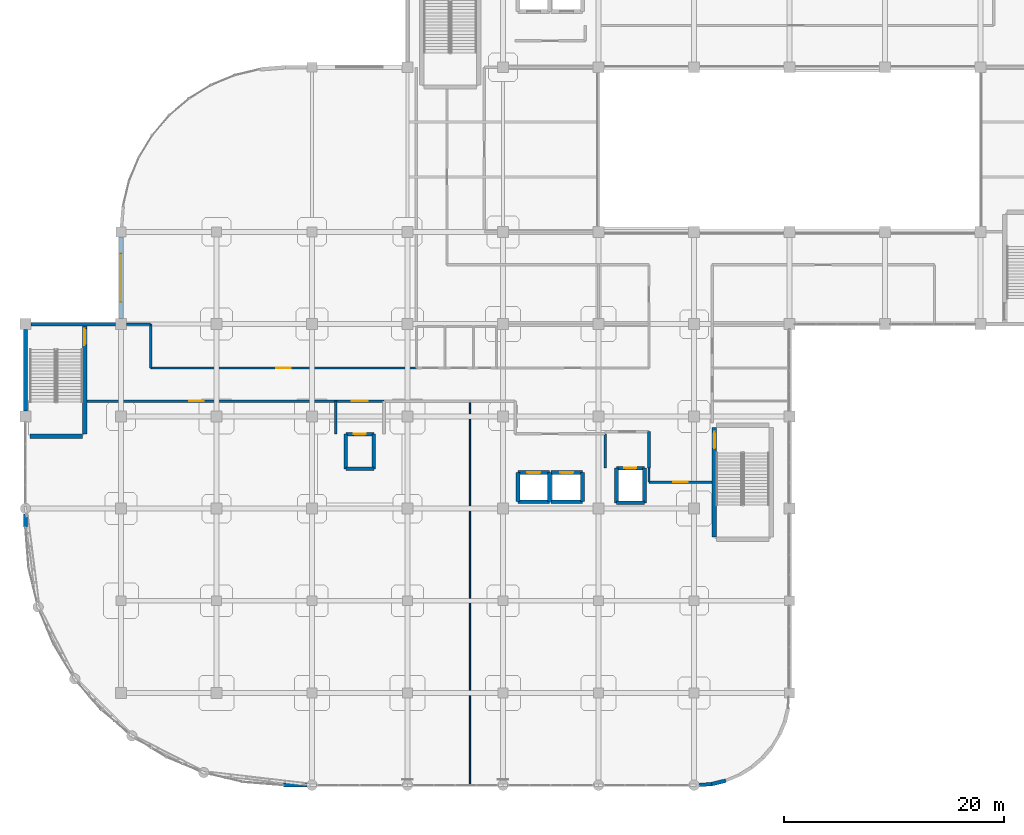
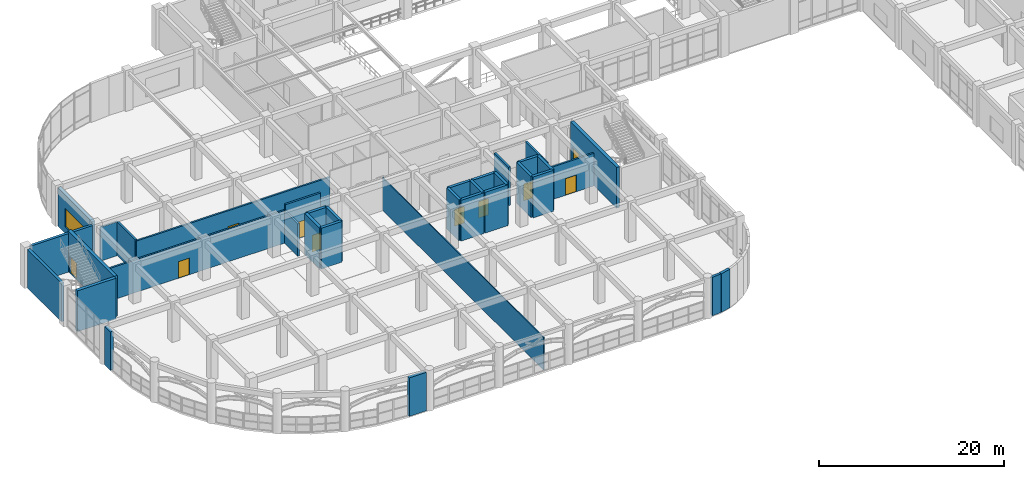
# One storey, part 92 of 114: 36 walls, 10 doors, 1 window, 11 openings.
"""IFC4 building model written with IfcOpenShell, lengths in metres."""

from ifc_helpers import new_model, si_unit, derived_unit, direction, frame, frame_2d, origin, place, context, subcontext, project, spatial, rectangle, extrude, material, layer, layer_set, type_object, element, fill, save


model = new_model("IFC4")

# Units and contexts
model_context = context("Model", 3, precision=1e-05, world=origin(), true_north=direction((0.0, 1.0)))
body_context = subcontext(model_context, "Body", "Model", "MODEL_VIEW")
ifc_project = project(units=[si_unit("LENGTHUNIT", "METRE"), si_unit("AREAUNIT", "SQUARE_METRE"), si_unit("VOLUMEUNIT", "CUBIC_METRE"), si_unit("PLANEANGLEUNIT", "RADIAN"), si_unit("MASSUNIT", "GRAM", prefix="KILO"), derived_unit("THERMALTRANSMITTANCEUNIT", [(si_unit("MASSUNIT", "GRAM", prefix="KILO"), 1), (si_unit("TIMEUNIT", "SECOND"), -3), (si_unit("THERMODYNAMICTEMPERATUREUNIT", "KELVIN"), -1)])], contexts=[model_context])

# Site, building, storey
site_placement = place(None, origin())
site = spatial("IfcSite", under=ifc_project, at=site_placement, CompositionType="ELEMENT")
building_placement = place(site_placement, origin())
building = spatial("IfcBuilding", under=site, at=building_placement, Name="Qinzheling Arcade Emporium", CompositionType="ELEMENT")
storey_placement = place(building_placement, frame((0.0, 0.0, 6.0)))
storey = spatial("IfcBuildingStorey", under=building, at=storey_placement, Name="L02", CompositionType="ELEMENT", Elevation=6.0)

# Walls
ifc_material_1 = material(Name="Double-stud acoustic gypsum board partition")
ifc_layer_1 = layer(ifc_material_1, 0.215087890625, Name="Double-stud acoustic gypsum board partition")
ifc_layer_set_1 = layer_set([ifc_layer_1], Name="Double-stud acoustic gypsum board partition")
wall_type_1 = type_object("IfcWallType", Name="Acoustic Corridor Partition Wall 215", PredefinedType="PARTITIONING", material=ifc_layer_set_1)
wall_1_placement = place(storey_placement, frame((9.2099609375, 42.0, 0.0), z_axis=(0.0, 0.0, 1.0), x_axis=(1.0, 0.0, 0.0)))
element("IfcWall", 1, at=wall_1_placement, inside=storey, type_object=wall_type_1, Name="Interior Wall WL-L02-INT-0306", PredefinedType="PARTITIONING", context=body_context, shape_type="SweptSolid", body=[
    extrude(rectangle(XDim=2.18994140625, YDim=0.215087890625, at=frame_2d((1.094970703125, 0.0))), origin(), (0.0, 0.0, 1.0), 4.4599609375),
])
wall_2_placement = place(storey_placement, frame((11.39990234375, 42.0, 0.0), z_axis=(0.0, 0.0, 1.0), x_axis=(0.0, -1.0, 0.0)))
element("IfcWall", 2, at=wall_2_placement, inside=storey, type_object=wall_type_1, Name="Interior Wall WL-L02-INT-0307", PredefinedType="PARTITIONING", context=body_context, shape_type="SweptSolid", body=[
    extrude(rectangle(XDim=4.0, YDim=0.215087890625, at=frame_2d((2.0, 0.0))), origin(), (0.0, 0.0, 1.0), 4.4599609375),
])

# Wall, opening, door
wall_3_placement = place(storey_placement, frame((11.39990234375, 38.0, 0.0), z_axis=(0.0, 0.0, 1.0), x_axis=(1.0, 0.0, 0.0)))
wall_3 = element("IfcWall", 3, at=wall_3_placement, inside=storey, type_object=wall_type_1, Name="Interior Wall WL-L02-INT-0308", PredefinedType="PARTITIONING", context=body_context, shape_type="SweptSolid", body=[
    extrude(rectangle(XDim=24.2001953125, YDim=0.215087890625, at=frame_2d((12.10009765625, 0.0))), origin(), (0.0, 0.0, 1.0), 4.31005859375),
])
opening_1_placement = place(wall_3_placement, frame((11.425048828125, 0.0, 0.0)))
opening_1 = element("IfcOpeningElement", 4, at=opening_1_placement, cuts=wall_3, Name="Opening FD05", PredefinedType="OPENING", context=body_context, shape_type="SweptSolid", body=[
    extrude(rectangle(XDim=1.35009765625, YDim=2.199951171875, at=frame_2d((0.675048828125, 1.10009765625))), frame((0.0, 0.11767578125, 0.0), z_axis=(0.0, -1.0, 0.0), x_axis=(1.0, 0.0, 0.0)), (0.0, 0.0, 1.0), 0.235107421875),
])
ifc_material_2 = material(Name="Class B fire-rated stainless-clad door")
door_type_1 = type_object("IfcDoorType", Name="Kitchen Fire-Rated Service Door 1350x2200", OperationType="NOTDEFINED", PredefinedType="DOOR", material=ifc_material_2)
door_1_placement = place(opening_1_placement, origin())
door_1 = element("IfcDoor", 5, at=door_1_placement, inside=storey, type_object=door_type_1, Name="FD05 Interior Door DR-L02-INT-0089", OperationType="SINGLE_SWING_RIGHT", OverallHeight=2.199951171875, OverallWidth=1.35009765625, PredefinedType="DOOR", context=body_context, shape_type="SweptSolid", body=[
    extrude(rectangle(XDim=1.35009765625, YDim=2.199951171875, at=frame_2d((0.675048828125, 1.10009765625))), frame((0.0, 0.02490234375, 0.0), z_axis=(0.0, -1.0, 0.0), x_axis=(1.0, 0.0, 0.0)), (0.0, 0.0, 1.0), 0.050048828125),
])
fill(opening_1, door_1)

wall_4_placement = place(storey_placement, frame((28.25, 34.97998046875, 0.0), z_axis=(0.0, 0.0, 1.0), x_axis=(-1.0, 0.0, 0.0)))
wall_4 = element("IfcWall", 6, at=wall_4_placement, inside=storey, type_object=wall_type_1, Name="Interior Wall WL-L02-INT-0309", PredefinedType="PARTITIONING", context=body_context, shape_type="SweptSolid", body=[
    extrude(rectangle(XDim=22.655029296875, YDim=0.215087890625, at=frame_2d((11.32763671875, 0.0))), origin(), (0.0, 0.0, 1.0), 4.31005859375),
])
opening_2_placement = place(wall_4_placement, frame((12.001953125, 0.0, 0.0)))
opening_2 = element("IfcOpeningElement", 7, at=opening_2_placement, cuts=wall_4, Name="Opening FD05", PredefinedType="OPENING", context=body_context, shape_type="SweptSolid", body=[
    extrude(rectangle(XDim=1.35009765625, YDim=2.199951171875, at=frame_2d((0.675048828125, 1.10009765625))), frame((0.0, 0.11767578125, 0.0), z_axis=(0.0, -1.0, 0.0), x_axis=(1.0, 0.0, 0.0)), (0.0, 0.0, 1.0), 0.235107421875),
])
door_2_placement = place(opening_2_placement, origin())
door_2 = element("IfcDoor", 8, at=door_2_placement, inside=storey, type_object=door_type_1, Name="FD05 Interior Door DR-L02-INT-0090", OperationType="SINGLE_SWING_LEFT", OverallHeight=2.199951171875, OverallWidth=1.35009765625, PredefinedType="DOOR", context=body_context, shape_type="SweptSolid", body=[
    extrude(rectangle(XDim=1.35009765625, YDim=2.199951171875, at=frame_2d((0.675048828125, 1.10009765625))), frame((0.0, 0.02490234375, 0.0), z_axis=(0.0, -1.0, 0.0), x_axis=(1.0, 0.0, 0.0)), (0.0, 0.0, 1.0), 0.050048828125),
])
fill(opening_2, door_2)

wall_5_placement = place(storey_placement, frame((62.544921875, 27.60009765625, 0.0), z_axis=(0.0, 0.0, 1.0), x_axis=(-1.0, 0.0, 0.0)))
wall_5 = element("IfcWall", 9, at=wall_5_placement, inside=storey, type_object=wall_type_1, Name="Interior Wall WL-L02-INT-0314", PredefinedType="PARTITIONING", context=body_context, shape_type="SweptSolid", body=[
    extrude(rectangle(XDim=5.744873046875, YDim=0.215087890625, at=frame_2d((2.87255859375, 0.0))), origin(), (0.0, 0.0, 1.0), 4.31005859375),
])
opening_3_placement = place(wall_5_placement, frame((2.197998046875, 0.0, 0.0)))
opening_3 = element("IfcOpeningElement", 10, at=opening_3_placement, cuts=wall_5, Name="Opening FD05", PredefinedType="OPENING", context=body_context, shape_type="SweptSolid", body=[
    extrude(rectangle(XDim=1.35009765625, YDim=2.199951171875, at=frame_2d((0.675048828125, 1.10009765625))), frame((0.0, 0.11767578125, 0.0), z_axis=(0.0, -1.0, 0.0), x_axis=(1.0, 0.0, 0.0)), (0.0, 0.0, 1.0), 0.235107421875),
])
door_3_placement = place(opening_3_placement, origin())
door_3 = element("IfcDoor", 11, at=door_3_placement, inside=storey, type_object=door_type_1, Name="FD05 Interior Door DR-L02-INT-0091", OperationType="SINGLE_SWING_RIGHT", OverallHeight=2.199951171875, OverallWidth=1.35009765625, PredefinedType="DOOR", context=body_context, shape_type="SweptSolid", body=[
    extrude(rectangle(XDim=1.35009765625, YDim=2.199951171875, at=frame_2d((0.675048828125, 1.10009765625))), frame((0.0, 0.02490234375, 0.0), z_axis=(0.0, -1.0, 0.0), x_axis=(1.0, 0.0, 0.0)), (0.0, 0.0, 1.0), 0.050048828125),
])
fill(opening_3, door_3)

# Walls
wall_6_placement = place(storey_placement, frame((56.800048828125, 27.60009765625, 0.0), z_axis=(0.0, 0.0, 1.0), x_axis=(0.0, 1.0, 0.0)))
element("IfcWall", 12, at=wall_6_placement, inside=storey, type_object=wall_type_1, Name="Interior Wall WL-L02-INT-0315", PredefinedType="PARTITIONING", context=body_context, shape_type="SweptSolid", body=[
    extrude(rectangle(XDim=1.27978515625, YDim=0.215087890625, at=frame_2d((0.639892578125, 0.0))), origin(), (0.0, 0.0, 1.0), 5.06005859375),
])
ifc_material_3 = material(Name="Celadon glazed terracotta insulated spandrel", Category="masonry")
ifc_layer_2 = layer(ifc_material_3, 0.340087890625, Name="Celadon glazed terracotta insulated spandrel", Category="masonry")
ifc_layer_set_2 = layer_set([ifc_layer_2], Name="Celadon glazed terracotta insulated spandrel")
wall_type_2 = type_object("IfcWallType", Name="Celadon Spandrel Infill Wall 340", PredefinedType="STANDARD", material=ifc_layer_set_2)
wall_7_placement = place(storey_placement, frame((63.7958984375, 0.410888671875, 0.0), z_axis=(0.0, 0.0, 1.0), x_axis=(-0.972355356444, -0.233506018754, 0.0)))
element("IfcWall", 13, at=wall_7_placement, inside=storey, type_object=wall_type_2, Name="Exterior Wall WL-L02-EW-0107", PredefinedType="STANDARD", context=body_context, shape_type="SweptSolid", body=[
    extrude(rectangle(XDim=1.318359375, YDim=0.340087890625, at=frame_2d((0.6591796875, 0.0))), origin(), (0.0, 0.0, 1.0), 5.090087890625),
])
wall_8_placement = place(storey_placement, frame((0.0, 34.10205078125, 0.0), z_axis=(0.0, 0.0, 1.0), x_axis=(0.0, 1.0, 0.0)))
element("IfcWall", 14, at=wall_8_placement, inside=storey, type_object=wall_type_2, Name="Exterior Wall WL-L02-EW-0111", PredefinedType="STANDARD", context=body_context, shape_type="SweptSolid", body=[
    extrude(rectangle(XDim=7.39599609375, YDim=0.340087890625, at=frame_2d((3.697998046875, 0.0))), origin(), (0.0, 0.0, 1.0), 5.090087890625),
])
ifc_material_4 = material(Name="Glazed cream terracotta insulated wall", Category="masonry")
ifc_layer_3 = layer(ifc_material_4, 0.320068359375, Name="Glazed cream terracotta insulated wall", Category="masonry")
ifc_layer_set_3 = layer_set([ifc_layer_3], Name="Glazed cream terracotta insulated wall")
wall_type_3 = type_object("IfcWallType", Name="Chicago Frame Infill Wall 320", PredefinedType="STANDARD", material=ifc_layer_set_3)
wall_9_placement = place(storey_placement, frame((62.513916015625, 0.10302734375, 0.0), z_axis=(0.0, 0.0, 1.0), x_axis=(-0.996942630005, -0.078137010941, 0.0)))
element("IfcWall", 15, at=wall_9_placement, inside=storey, type_object=wall_type_3, Name="Exterior Wall WL-L02-EW-0108", PredefinedType="STANDARD", context=body_context, shape_type="SweptSolid", body=[
    extrude(rectangle(XDim=1.140380859375, YDim=0.320068359375, at=frame_2d((0.5703125, 0.0))), origin(), (0.0, 0.0, 1.0), 5.090087890625),
])
wall_10_placement = place(storey_placement, frame((0.501953125, 42.0, 0.0), z_axis=(0.0, 0.0, 1.0), x_axis=(1.0, 0.0, 0.0)))
element("IfcWall", 16, at=wall_10_placement, inside=storey, type_object=wall_type_3, Name="Exterior Wall WL-L02-EW-0112", PredefinedType="STANDARD", context=body_context, shape_type="SweptSolid", body=[
    extrude(rectangle(XDim=7.696044921875, YDim=0.320068359375, at=frame_2d((3.84814453125, 0.0))), origin(), (0.0, 0.0, 1.0), 5.090087890625),
])
ifc_material_5 = material(Name="Fire-rated double-stud gypsum and mineral wool wall")
ifc_layer_4 = layer(ifc_material_5, 0.2451171875, Name="Fire-rated double-stud gypsum and mineral wool wall")
ifc_layer_set_4 = layer_set([ifc_layer_4], Name="Fire-rated double-stud gypsum and mineral wool wall")
wall_type_4 = type_object("IfcWallType", Name="Firefighting Lobby Rated Wall 245", PredefinedType="STANDARD", material=ifc_layer_set_4)
wall_11_placement = place(storey_placement, frame((56.800048828125, 32.199951171875, 0.0), z_axis=(0.0, 0.0, 1.0), x_axis=(0.0, -1.0, 0.0)))
element("IfcWall", 17, at=wall_11_placement, inside=storey, type_object=wall_type_4, Name="Interior Wall WL-L02-INT-0275", PredefinedType="STANDARD", context=body_context, shape_type="SweptSolid", body=[
    extrude(rectangle(XDim=3.320068359375, YDim=0.2451171875, at=frame_2d((1.66015625, 0.0))), origin(), (0.0, 0.0, 1.0), 5.06005859375),
])
wall_12_placement = place(storey_placement, frame((52.800048828125, 28.8798828125, 0.0), z_axis=(0.0, 0.0, 1.0), x_axis=(0.0, 1.0, 0.0)))
element("IfcWall", 18, at=wall_12_placement, inside=storey, type_object=wall_type_4, Name="Interior Wall WL-L02-INT-0276", PredefinedType="STANDARD", context=body_context, shape_type="SweptSolid", body=[
    extrude(rectangle(XDim=3.1201171875, YDim=0.2451171875, at=frame_2d((1.56005859375, 0.0))), origin(), (0.0, 0.0, 1.0), 5.06005859375),
])

# Wall, opening, door
wall_13_placement = place(storey_placement, frame((28.25, 34.97998046875, 0.0), z_axis=(0.0, 0.0, 1.0), x_axis=(1.0, 0.0, 0.0)))
wall_13 = element("IfcWall", 19, at=wall_13_placement, inside=storey, type_object=wall_type_4, Name="Interior Wall WL-L02-INT-0277", PredefinedType="STANDARD", context=body_context, shape_type="SweptSolid", body=[
    extrude(rectangle(XDim=4.39990234375, YDim=0.2451171875, at=frame_2d((2.199951171875, 0.0))), origin(), (0.0, 0.0, 1.0), 5.06005859375),
])
opening_4_placement = place(wall_13_placement, frame((1.47509765625, 0.0, 0.0)))
opening_4 = element("IfcOpeningElement", 20, at=opening_4_placement, cuts=wall_13, Name="Opening FD02", PredefinedType="OPENING", context=body_context, shape_type="SweptSolid", body=[
    extrude(rectangle(XDim=1.449951171875, YDim=2.199951171875, at=frame_2d((0.72509765625, 1.10009765625))), frame((0.0, 0.132568359375, 0.0), z_axis=(0.0, -1.0, 0.0), x_axis=(1.0, 0.0, 0.0)), (0.0, 0.0, 1.0), 0.26513671875),
])
ifc_material_6 = material(Name="Class A fire-rated steel double door", Category="steel")
door_type_2 = type_object("IfcDoorType", Name="Firefighting Lobby Fire Door 1450x2200", OperationType="DOUBLE_DOOR_SINGLE_SWING", PredefinedType="DOOR", material=ifc_material_6)
door_4_placement = place(opening_4_placement, origin())
door_4 = element("IfcDoor", 21, at=door_4_placement, inside=storey, type_object=door_type_2, Name="FD02 Interior Door DR-L02-INT-0077", OperationType="DOUBLE_DOOR_SINGLE_SWING", OverallHeight=2.199951171875, OverallWidth=1.449951171875, PredefinedType="DOOR", context=body_context, shape_type="SweptSolid", body=[
    extrude(rectangle(XDim=1.449951171875, YDim=2.199951171875, at=frame_2d((0.72509765625, 1.10009765625))), frame((0.0, 0.02490234375, 0.0), z_axis=(0.0, -1.0, 0.0), x_axis=(1.0, 0.0, 0.0)), (0.0, 0.0, 1.0), 0.050048828125),
])
fill(opening_4, door_4)

# Walls
wall_14_placement = place(storey_placement, frame((28.25, 31.97998046875, 0.0), z_axis=(0.0, 0.0, 1.0), x_axis=(0.0, 1.0, 0.0)))
element("IfcWall", 22, at=wall_14_placement, inside=storey, type_object=wall_type_4, Name="Interior Wall WL-L02-INT-0278", PredefinedType="STANDARD", context=body_context, shape_type="SweptSolid", body=[
    extrude(rectangle(XDim=3.0, YDim=0.2451171875, at=frame_2d((1.5, 0.0))), origin(), (0.0, 0.0, 1.0), 4.31005859375),
])
ifc_material_7 = material(Name="Glazed cream terracotta on Concrete C40", Category="masonry")
ifc_layer_5 = layer(ifc_material_7, 0.3798828125, Name="Glazed cream terracotta on Concrete C40", Category="masonry")
ifc_layer_set_5 = layer_set([ifc_layer_5], Name="Glazed cream terracotta on Concrete C40")
wall_type_5 = type_object("IfcWallType", Name="Glazed Cream Terracotta Structural Wall 380", PredefinedType="STANDARD", material=ifc_layer_set_5)
wall_15_placement = place(storey_placement, frame((0.0, 23.5, 0.0), z_axis=(0.0, 0.0, 1.0), x_axis=(0.0, 1.0, 0.0)))
element("IfcWall", 23, at=wall_15_placement, inside=storey, type_object=wall_type_5, Name="Exterior Wall WL-L02-EW-0110", PredefinedType="STANDARD", context=body_context, shape_type="SweptSolid", body=[
    extrude(rectangle(XDim=1.222900390625, YDim=0.3798828125, at=frame_2d((0.611328125, 0.0))), origin(), (0.0, 0.0, 1.0), 5.090087890625),
])
ifc_layer_6 = layer(ifc_material_7, 0.360107421875, Name="Glazed cream terracotta on Concrete C40", Category="masonry")
ifc_layer_set_6 = layer_set([ifc_layer_6], Name="Glazed cream terracotta on Concrete C40")
wall_type_6 = type_object("IfcWallType", Name="Glazed Terracotta Pier Wall 360", PredefinedType="STANDARD", material=ifc_layer_set_6)
wall_16_placement = place(storey_placement, frame((25.623046875, 0.0, 0.0), z_axis=(0.0, 0.0, 1.0), x_axis=(-1.0, 0.0, 0.0)))
element("IfcWall", 24, at=wall_16_placement, inside=storey, type_object=wall_type_6, Name="Exterior Wall WL-L02-EW-0109", PredefinedType="STANDARD", context=body_context, shape_type="SweptSolid", body=[
    extrude(rectangle(XDim=2.123046875, YDim=0.360107421875, at=frame_2d((1.0615234375, 0.0))), origin(), (0.0, 0.0, 1.0), 5.090087890625),
])

# Wall, opening, window
wall_17_placement = place(storey_placement, frame((8.699951171875, 42.501953125, 0.0), z_axis=(0.0, 0.0, 1.0), x_axis=(0.0, 1.0, 0.0)))
wall_17 = element("IfcWall", 25, at=wall_17_placement, inside=storey, type_object=wall_type_6, Name="Exterior Wall WL-L02-EW-0113", PredefinedType="STANDARD", context=body_context, shape_type="SweptSolid", body=[
    extrude(rectangle(XDim=7.446044921875, YDim=0.360107421875, at=frame_2d((3.72314453125, 0.0))), origin(), (0.0, 0.0, 1.0), 5.090087890625),
])
opening_5_placement = place(wall_17_placement, frame((1.52294921875, 0.0, 0.85009765625)))
opening_5 = element("IfcOpeningElement", 26, at=opening_5_placement, cuts=wall_17, Name="Opening WN07", PredefinedType="OPENING", context=body_context, shape_type="SweptSolid", body=[
    extrude(rectangle(XDim=4.39990234375, YDim=2.449951171875, at=frame_2d((2.199951171875, 1.22509765625))), frame((0.0, 0.18994140625, 0.0), z_axis=(0.0, -1.0, 0.0), x_axis=(1.0, 0.0, 0.0)), (0.0, 0.0, 1.0), 0.380126953125),
])
ifc_material_8 = material(Name="Thermally broken aluminium frame with solar-control double glazing", Category="aluminium")
window_type = type_object("IfcWindowType", Name="Chicago Tripartite Window 4400x2450", PartitioningType="TRIPLE_PANEL_VERTICAL", PredefinedType="WINDOW", material=ifc_material_8)
window_placement = place(opening_5_placement, origin())
window = element("IfcWindow", 27, at=window_placement, inside=storey, type_object=window_type, Name="WN07 Window WN-L02-0025", OverallHeight=2.449951171875, OverallWidth=4.39990234375, PartitioningType="TRIPLE_PANEL_VERTICAL", PredefinedType="WINDOW", context=body_context, shape_type="SweptSolid", body=[
    extrude(rectangle(XDim=4.39990234375, YDim=2.449951171875, at=frame_2d((2.199951171875, 1.22509765625))), frame((0.0, 0.030029296875, 0.0), z_axis=(0.0, -1.0, 0.0), x_axis=(1.0, 0.0, 0.0)), (0.0, 0.0, 1.0), 0.06005859375),
])
fill(opening_5, window)

# Wall, opening, door
ifc_material_9 = material(Name="Concrete C40", Category="concrete")
ifc_layer_7 = layer(ifc_material_9, 0.35009765625, Name="Concrete C40", Category="concrete")
ifc_layer_set_7 = layer_set([ifc_layer_7], Name="Concrete C40")
wall_type_7 = type_object("IfcWallType", Name="RC Lift Shaft Shear Wall 350 C40", PredefinedType="SHEAR", material=ifc_layer_set_7)
wall_18_placement = place(storey_placement, frame((53.824951171875, 28.875, 0.0), z_axis=(0.0, 0.0, 1.0), x_axis=(1.0, 0.0, 0.0)))
wall_18 = element("IfcWall", 28, at=wall_18_placement, inside=storey, type_object=wall_type_7, Name="Lift Shaft Wall WL-L02-LFT-LF01-N", PredefinedType="SHEAR", context=body_context, shape_type="SweptSolid", body=[
    extrude(rectangle(XDim=2.550048828125, YDim=0.35009765625, at=frame_2d((1.27490234375, 0.0))), origin(), (0.0, 0.0, 1.0), 5.39990234375),
])
opening_6_placement = place(wall_18_placement, frame((0.72509765625, 0.0, 0.0)))
opening_6 = element("IfcOpeningElement", 29, at=opening_6_placement, cuts=wall_18, Name="Opening LD01", PredefinedType="OPENING", context=body_context, shape_type="SweptSolid", body=[
    extrude(rectangle(XDim=1.10009765625, YDim=2.199951171875, at=frame_2d((0.550048828125, 1.10009765625))), frame((0.0, 0.18505859375, 0.0), z_axis=(0.0, -1.0, 0.0), x_axis=(1.0, 0.0, 0.0)), (0.0, 0.0, 1.0), 0.3701171875),
])
ifc_material_10 = material(Name="Fire-rated stainless steel sliding lift door", Category="steel")
door_type_3 = type_object("IfcDoorType", Name="Firefighting Lift Sliding Landing Door 1100x2200", OperationType="DOUBLE_DOOR_SLIDING", PredefinedType="DOOR", material=ifc_material_10)
door_5_placement = place(opening_6_placement, origin())
door_5 = element("IfcDoor", 30, at=door_5_placement, inside=storey, type_object=door_type_3, Name="LD01 Lift Landing Door LF01 L02", OperationType="DOUBLE_DOOR_SLIDING", OverallHeight=2.199951171875, OverallWidth=1.10009765625, PredefinedType="DOOR", context=body_context, shape_type="SweptSolid", body=[
    extrude(rectangle(XDim=1.10009765625, YDim=2.199951171875, at=frame_2d((0.550048828125, 1.10009765625))), frame((0.0, 0.02490234375, 0.0), z_axis=(0.0, -1.0, 0.0), x_axis=(1.0, 0.0, 0.0)), (0.0, 0.0, 1.0), 0.050048828125),
])
fill(opening_6, door_5)

# Walls
wall_19_placement = place(storey_placement, frame((56.375, 25.72509765625, 0.0), z_axis=(0.0, 0.0, 1.0), x_axis=(-1.0, 0.0, 0.0)))
element("IfcWall", 31, at=wall_19_placement, inside=storey, type_object=wall_type_7, Name="Lift Shaft Wall WL-L02-LFT-LF01-S", PredefinedType="SHEAR", context=body_context, shape_type="SweptSolid", body=[
    extrude(rectangle(XDim=2.550048828125, YDim=0.35009765625, at=frame_2d((1.27490234375, 0.0))), origin(), (0.0, 0.0, 1.0), 5.39990234375),
])
for number, where, z_axis, x_axis, name in (
    (32, (53.824951171875, 25.72509765625, 0.0), (0.0, 0.0, 1.0), (0.0, 1.0, 0.0), "Lift Shaft Wall WL-L02-LFT-LF01-W"),
    (33, (56.375, 28.875, 0.0), (0.0, 0.0, 1.0), (0.0, -1.0, 0.0), "Lift Shaft Wall WL-L02-LFT-LF01-E"),
):
    element("IfcWall", number, at=place(storey_placement, frame(where, z_axis=z_axis, x_axis=x_axis)), inside=storey, type_object=wall_type_7, Name=name, PredefinedType="SHEAR", context=body_context, shape_type="SweptSolid", body=[
        extrude(rectangle(XDim=3.14990234375, YDim=0.35009765625, at=frame_2d((1.574951171875, 0.0))), origin(), (0.0, 0.0, 1.0), 5.39990234375),
    ])

# Wall, opening, door
wall_20_placement = place(storey_placement, frame((29.175048828125, 31.97509765625, 0.0), z_axis=(0.0, 0.0, 1.0), x_axis=(1.0, 0.0, 0.0)))
wall_20 = element("IfcWall", 34, at=wall_20_placement, inside=storey, type_object=wall_type_7, Name="Lift Shaft Wall WL-L02-LFT-LF02-N", PredefinedType="SHEAR", context=body_context, shape_type="SweptSolid", body=[
    extrude(rectangle(XDim=2.550048828125, YDim=0.35009765625, at=frame_2d((1.27490234375, 0.0))), origin(), (0.0, 0.0, 1.0), 5.39990234375),
])
opening_7_placement = place(wall_20_placement, frame((0.72509765625, 0.0, 0.0)))
opening_7 = element("IfcOpeningElement", 35, at=opening_7_placement, cuts=wall_20, Name="Opening LD01", PredefinedType="OPENING", context=body_context, shape_type="SweptSolid", body=[
    extrude(rectangle(XDim=1.10009765625, YDim=2.199951171875, at=frame_2d((0.550048828125, 1.10009765625))), frame((0.0, 0.18505859375, 0.0), z_axis=(0.0, -1.0, 0.0), x_axis=(1.0, 0.0, 0.0)), (0.0, 0.0, 1.0), 0.3701171875),
])
door_6_placement = place(opening_7_placement, origin())
door_6 = element("IfcDoor", 36, at=door_6_placement, inside=storey, type_object=door_type_3, Name="LD01 Lift Landing Door LF02 L02", OperationType="DOUBLE_DOOR_SLIDING", OverallHeight=2.199951171875, OverallWidth=1.10009765625, PredefinedType="DOOR", context=body_context, shape_type="SweptSolid", body=[
    extrude(rectangle(XDim=1.10009765625, YDim=2.199951171875, at=frame_2d((0.550048828125, 1.10009765625))), frame((0.0, 0.02490234375, 0.0), z_axis=(0.0, -1.0, 0.0), x_axis=(1.0, 0.0, 0.0)), (0.0, 0.0, 1.0), 0.050048828125),
])
fill(opening_7, door_6)

# Walls
wall_21_placement = place(storey_placement, frame((31.72509765625, 28.824951171875, 0.0), z_axis=(0.0, 0.0, 1.0), x_axis=(-1.0, 0.0, 0.0)))
element("IfcWall", 37, at=wall_21_placement, inside=storey, type_object=wall_type_7, Name="Lift Shaft Wall WL-L02-LFT-LF02-S", PredefinedType="SHEAR", context=body_context, shape_type="SweptSolid", body=[
    extrude(rectangle(XDim=2.550048828125, YDim=0.35009765625, at=frame_2d((1.27490234375, 0.0))), origin(), (0.0, 0.0, 1.0), 5.39990234375),
])
for number, where, z_axis, x_axis, name in (
    (38, (29.175048828125, 28.824951171875, 0.0), (0.0, 0.0, 1.0), (0.0, 1.0, 0.0), "Lift Shaft Wall WL-L02-LFT-LF02-W"),
    (39, (31.72509765625, 31.97509765625, 0.0), (0.0, 0.0, 1.0), (0.0, -1.0, 0.0), "Lift Shaft Wall WL-L02-LFT-LF02-E"),
):
    element("IfcWall", number, at=place(storey_placement, frame(where, z_axis=z_axis, x_axis=x_axis)), inside=storey, type_object=wall_type_7, Name=name, PredefinedType="SHEAR", context=body_context, shape_type="SweptSolid", body=[
        extrude(rectangle(XDim=3.150146484375, YDim=0.35009765625, at=frame_2d((1.5751953125, 0.0))), origin(), (0.0, 0.0, 1.0), 5.39990234375),
    ])

# Wall, opening, door
wall_22_placement = place(storey_placement, frame((44.875, 28.47509765625, 0.0), z_axis=(0.0, 0.0, 1.0), x_axis=(1.0, 0.0, 0.0)))
wall_22 = element("IfcWall", 40, at=wall_22_placement, inside=storey, type_object=wall_type_7, Name="Lift Shaft Wall WL-L02-LFT-LP01-N", PredefinedType="SHEAR", context=body_context, shape_type="SweptSolid", body=[
    extrude(rectangle(XDim=2.85009765625, YDim=0.35009765625, at=frame_2d((1.425048828125, 0.0))), origin(), (0.0, 0.0, 1.0), 5.39990234375),
])
opening_8_placement = place(wall_22_placement, frame((0.824951171875, 0.0, 0.0)))
opening_8 = element("IfcOpeningElement", 41, at=opening_8_placement, cuts=wall_22, Name="Opening LD02", PredefinedType="OPENING", context=body_context, shape_type="SweptSolid", body=[
    extrude(rectangle(XDim=1.199951171875, YDim=2.199951171875, at=frame_2d((0.60009765625, 1.10009765625))), frame((0.0, 0.18505859375, 0.0), z_axis=(0.0, -1.0, 0.0), x_axis=(1.0, 0.0, 0.0)), (0.0, 0.0, 1.0), 0.3701171875),
])
ifc_material_11 = material(Name="Brushed bronze stainless sliding lift door")
door_type_4 = type_object("IfcDoorType", Name="Passenger Lift Sliding Landing Door 1200x2200", OperationType="DOUBLE_DOOR_SLIDING", PredefinedType="DOOR", material=ifc_material_11)
door_7_placement = place(opening_8_placement, origin())
door_7 = element("IfcDoor", 42, at=door_7_placement, inside=storey, type_object=door_type_4, Name="LD02 Lift Landing Door LP01 L02", OperationType="DOUBLE_DOOR_SLIDING", OverallHeight=2.199951171875, OverallWidth=1.199951171875, PredefinedType="DOOR", context=body_context, shape_type="SweptSolid", body=[
    extrude(rectangle(XDim=1.199951171875, YDim=2.199951171875, at=frame_2d((0.60009765625, 1.10009765625))), frame((0.0, 0.02490234375, 0.0), z_axis=(0.0, -1.0, 0.0), x_axis=(1.0, 0.0, 0.0)), (0.0, 0.0, 1.0), 0.050048828125),
])
fill(opening_8, door_7)

# Walls
wall_23_placement = place(storey_placement, frame((47.72509765625, 25.824951171875, 0.0), z_axis=(0.0, 0.0, 1.0), x_axis=(-1.0, 0.0, 0.0)))
element("IfcWall", 43, at=wall_23_placement, inside=storey, type_object=wall_type_7, Name="Lift Shaft Wall WL-L02-LFT-LP01-S", PredefinedType="SHEAR", context=body_context, shape_type="SweptSolid", body=[
    extrude(rectangle(XDim=2.85009765625, YDim=0.35009765625, at=frame_2d((1.425048828125, 0.0))), origin(), (0.0, 0.0, 1.0), 5.39990234375),
])
for number, where, z_axis, x_axis, name in (
    (44, (44.875, 25.824951171875, 0.0), (0.0, 0.0, 1.0), (0.0, 1.0, 0.0), "Lift Shaft Wall WL-L02-LFT-LP01-W"),
    (45, (47.72509765625, 28.47509765625, 0.0), (0.0, 0.0, 1.0), (0.0, -1.0, 0.0), "Lift Shaft Wall WL-L02-LFT-LP01-E"),
):
    element("IfcWall", number, at=place(storey_placement, frame(where, z_axis=z_axis, x_axis=x_axis)), inside=storey, type_object=wall_type_7, Name=name, PredefinedType="SHEAR", context=body_context, shape_type="SweptSolid", body=[
        extrude(rectangle(XDim=2.650146484375, YDim=0.35009765625, at=frame_2d((1.3251953125, 0.0))), origin(), (0.0, 0.0, 1.0), 5.39990234375),
    ])

# Wall, opening, door
wall_24_placement = place(storey_placement, frame((47.875, 28.47509765625, 0.0), z_axis=(0.0, 0.0, 1.0), x_axis=(1.0, 0.0, 0.0)))
wall_24 = element("IfcWall", 46, at=wall_24_placement, inside=storey, type_object=wall_type_7, Name="Lift Shaft Wall WL-L02-LFT-LP02-N", PredefinedType="SHEAR", context=body_context, shape_type="SweptSolid", body=[
    extrude(rectangle(XDim=2.85009765625, YDim=0.35009765625, at=frame_2d((1.425048828125, 0.0))), origin(), (0.0, 0.0, 1.0), 5.39990234375),
])
opening_9_placement = place(wall_24_placement, frame((0.824951171875, 0.0, 0.0)))
opening_9 = element("IfcOpeningElement", 47, at=opening_9_placement, cuts=wall_24, Name="Opening LD02", PredefinedType="OPENING", context=body_context, shape_type="SweptSolid", body=[
    extrude(rectangle(XDim=1.199951171875, YDim=2.199951171875, at=frame_2d((0.60009765625, 1.10009765625))), frame((0.0, 0.18505859375, 0.0), z_axis=(0.0, -1.0, 0.0), x_axis=(1.0, 0.0, 0.0)), (0.0, 0.0, 1.0), 0.3701171875),
])
door_8_placement = place(opening_9_placement, origin())
door_8 = element("IfcDoor", 48, at=door_8_placement, inside=storey, type_object=door_type_4, Name="LD02 Lift Landing Door LP02 L02", OperationType="DOUBLE_DOOR_SLIDING", OverallHeight=2.199951171875, OverallWidth=1.199951171875, PredefinedType="DOOR", context=body_context, shape_type="SweptSolid", body=[
    extrude(rectangle(XDim=1.199951171875, YDim=2.199951171875, at=frame_2d((0.60009765625, 1.10009765625))), frame((0.0, 0.02490234375, 0.0), z_axis=(0.0, -1.0, 0.0), x_axis=(1.0, 0.0, 0.0)), (0.0, 0.0, 1.0), 0.050048828125),
])
fill(opening_9, door_8)

# Walls
wall_25_placement = place(storey_placement, frame((50.72509765625, 25.824951171875, 0.0), z_axis=(0.0, 0.0, 1.0), x_axis=(-1.0, 0.0, 0.0)))
element("IfcWall", 49, at=wall_25_placement, inside=storey, type_object=wall_type_7, Name="Lift Shaft Wall WL-L02-LFT-LP02-S", PredefinedType="SHEAR", context=body_context, shape_type="SweptSolid", body=[
    extrude(rectangle(XDim=2.85009765625, YDim=0.35009765625, at=frame_2d((1.425048828125, 0.0))), origin(), (0.0, 0.0, 1.0), 5.39990234375),
])
wall_26_placement = place(storey_placement, frame((50.72509765625, 28.47509765625, 0.0), z_axis=(0.0, 0.0, 1.0), x_axis=(0.0, -1.0, 0.0)))
element("IfcWall", 50, at=wall_26_placement, inside=storey, type_object=wall_type_7, Name="Lift Shaft Wall WL-L02-LFT-LP02-E", PredefinedType="SHEAR", context=body_context, shape_type="SweptSolid", body=[
    extrude(rectangle(XDim=2.650146484375, YDim=0.35009765625, at=frame_2d((1.3251953125, 0.0))), origin(), (0.0, 0.0, 1.0), 5.39990234375),
])

# Wall, opening, door
ifc_material_12 = material(Name="Concrete C50", Category="concrete")
ifc_layer_8 = layer(ifc_material_12, 0.39990234375, Name="Concrete C50", Category="concrete")
ifc_layer_set_8 = layer_set([ifc_layer_8], Name="Concrete C50")
wall_type_8 = type_object("IfcWallType", Name="RC Stair Core Shear Wall 400 C50", PredefinedType="SHEAR", material=ifc_layer_set_8)
wall_27_placement = place(storey_placement, frame((62.75, 22.60009765625, 0.0), z_axis=(0.0, 0.0, 1.0), x_axis=(0.0, 1.0, 0.0)))
wall_27 = element("IfcWall", 51, at=wall_27_placement, inside=storey, type_object=wall_type_8, Name="Stair Core Wall WL-L02-ST01-WEST", PredefinedType="SHEAR", context=body_context, shape_type="SweptSolid", body=[
    extrude(rectangle(XDim=10.0, YDim=0.39990234375, at=frame_2d((5.0, 0.0))), origin(), (0.0, 0.0, 1.0), 5.39990234375),
])
opening_10_placement = place(wall_27_placement, frame((8.090087890625, 0.0, 0.0)))
opening_10 = element("IfcOpeningElement", 52, at=opening_10_placement, cuts=wall_27, Name="Opening FD01", PredefinedType="OPENING", context=body_context, shape_type="SweptSolid", body=[
    extrude(rectangle(XDim=1.5, YDim=2.199951171875, at=frame_2d((0.75, 1.10009765625))), frame((0.0, 0.2099609375, 0.0), z_axis=(0.0, -1.0, 0.0), x_axis=(1.0, 0.0, 0.0)), (0.0, 0.0, 1.0), 0.419921875),
])
door_type_5 = type_object("IfcDoorType", Name="Stairwell Smoke-Proof Fire Door 1500x2200", OperationType="DOUBLE_DOOR_SINGLE_SWING", PredefinedType="DOOR", material=ifc_material_6)
door_9_placement = place(opening_10_placement, origin())
door_9 = element("IfcDoor", 53, at=door_9_placement, inside=storey, type_object=door_type_5, Name="FD01 Stairwell Fire Door DR-L02-ST01-FD", OperationType="DOUBLE_DOOR_SINGLE_SWING", OverallHeight=2.199951171875, OverallWidth=1.5, PredefinedType="DOOR", context=body_context, shape_type="SweptSolid", body=[
    extrude(rectangle(XDim=1.5, YDim=2.199951171875, at=frame_2d((0.75, 1.10009765625))), frame((0.0, 0.02490234375, 0.0), z_axis=(0.0, -1.0, 0.0), x_axis=(1.0, 0.0, 0.0)), (0.0, 0.0, 1.0), 0.050048828125),
])
fill(opening_10, door_9)

wall_28_placement = place(storey_placement, frame((5.389892578125, 42.0, 0.0), z_axis=(0.0, 0.0, 1.0), x_axis=(0.0, -1.0, 0.0)))
wall_28 = element("IfcWall", 54, at=wall_28_placement, inside=storey, type_object=wall_type_8, Name="Stair Core Wall WL-L02-ST02-EAST", PredefinedType="SHEAR", context=body_context, shape_type="SweptSolid", body=[
    extrude(rectangle(XDim=10.0, YDim=0.39990234375, at=frame_2d((5.0, 0.0))), origin(), (0.0, 0.0, 1.0), 5.39990234375),
])
opening_11_placement = place(wall_28_placement, frame((0.409912109375, 0.0, 0.0)))
opening_11 = element("IfcOpeningElement", 55, at=opening_11_placement, cuts=wall_28, Name="Opening FD01", PredefinedType="OPENING", context=body_context, shape_type="SweptSolid", body=[
    extrude(rectangle(XDim=1.5, YDim=2.199951171875, at=frame_2d((0.75, 1.10009765625))), frame((0.0, 0.2099609375, 0.0), z_axis=(0.0, -1.0, 0.0), x_axis=(1.0, 0.0, 0.0)), (0.0, 0.0, 1.0), 0.419921875),
])
door_10_placement = place(opening_11_placement, origin())
door_10 = element("IfcDoor", 56, at=door_10_placement, inside=storey, type_object=door_type_5, Name="FD01 Stairwell Fire Door DR-L02-ST02-FD", OperationType="DOUBLE_DOOR_SINGLE_SWING", OverallHeight=2.199951171875, OverallWidth=1.5, PredefinedType="DOOR", context=body_context, shape_type="SweptSolid", body=[
    extrude(rectangle(XDim=1.5, YDim=2.199951171875, at=frame_2d((0.75, 1.10009765625))), frame((0.0, 0.02490234375, 0.0), z_axis=(0.0, -1.0, 0.0), x_axis=(1.0, 0.0, 0.0)), (0.0, 0.0, 1.0), 0.050048828125),
])
fill(opening_11, door_10)

# Walls
wall_29_placement = place(storey_placement, frame((5.18994140625, 31.800048828125, 0.0), z_axis=(0.0, 0.0, 1.0), x_axis=(-1.0, 0.0, 0.0)))
element("IfcWall", 57, at=wall_29_placement, inside=storey, type_object=wall_type_8, Name="Stair Core Wall WL-L02-ST02-SOUTH", PredefinedType="SHEAR", context=body_context, shape_type="SweptSolid", body=[
    extrude(rectangle(XDim=4.7900390625, YDim=0.39990234375, at=frame_2d((2.39501953125, 0.0))), origin(), (0.0, 0.0, 1.0), 5.39990234375),
])
ifc_material_13 = material(Name="Galvanised steel-stud stockroom partition", Category="steel")
ifc_layer_9 = layer(ifc_material_13, 0.114990234375, Name="Galvanised steel-stud stockroom partition", Category="steel")
ifc_layer_set_9 = layer_set([ifc_layer_9], Name="Galvanised steel-stud stockroom partition")
wall_type_9 = type_object("IfcWallType", Name="Storage Cage Partition Wall 115", PredefinedType="PARTITIONING", material=ifc_layer_set_9)
wall_30_placement = place(storey_placement, frame((40.5, 34.97998046875, 0.0), z_axis=(0.0, 0.0, 1.0), x_axis=(0.0, -1.0, 0.0)))
element("IfcWall", 58, at=wall_30_placement, inside=storey, type_object=wall_type_9, Name="Interior Wall WL-L02-INT-0387", PredefinedType="PARTITIONING", context=body_context, shape_type="SweptSolid", body=[
    extrude(rectangle(XDim=34.8798828125, YDim=0.114990234375, at=frame_2d((17.43994140625, 0.0))), origin(), (0.0, 0.0, 1.0), 4.31005859375),
])

save(model, "model.ifc")
